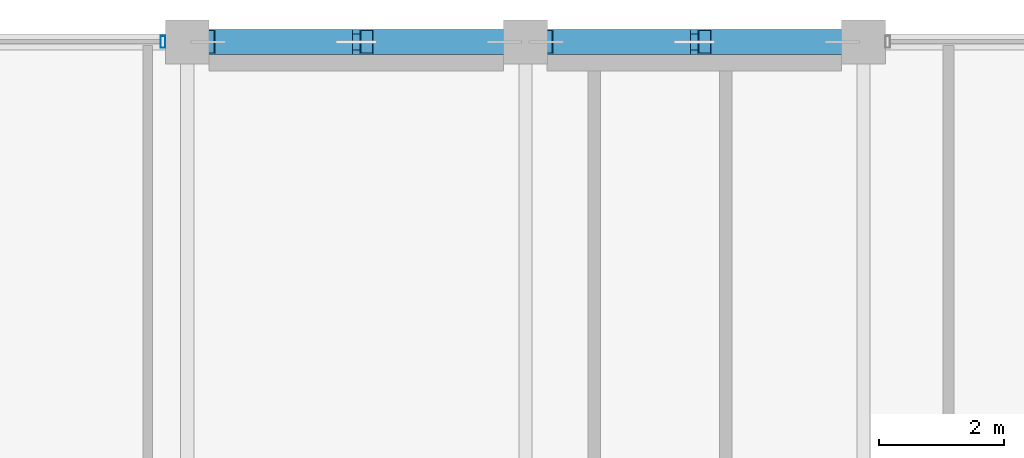
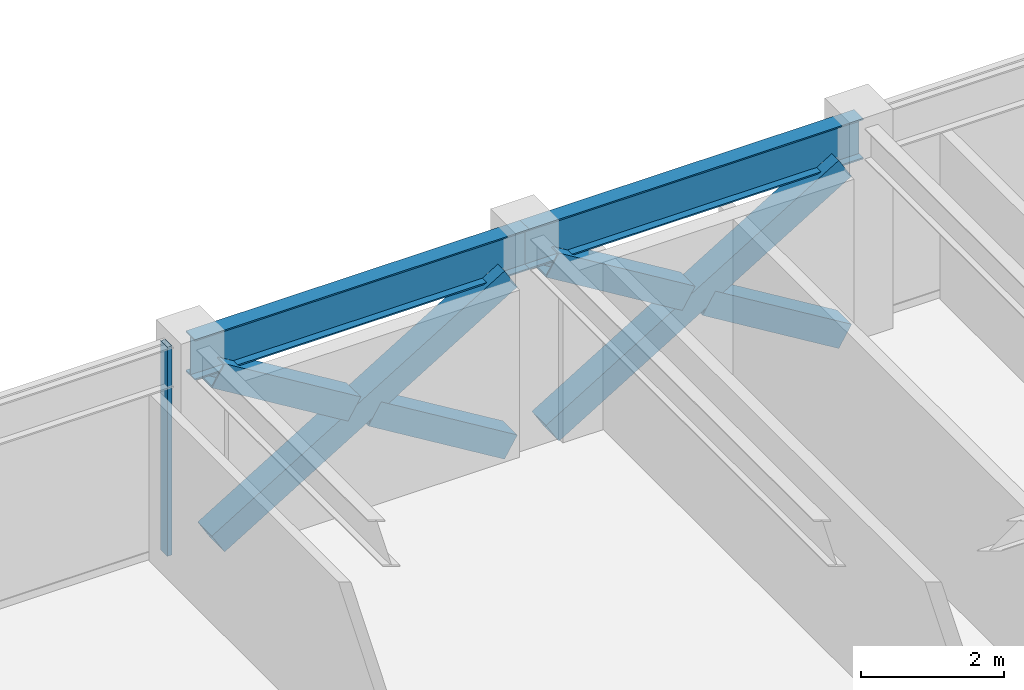
# One storey, part 19 of 30: 7 members, 2 beams, 1 element without a shape of its own.
"""IFC4 building model written with IfcOpenShell, lengths in metres."""

from ifc_helpers import new_model, si_unit, direction, frame, origin, origin_2d, place, context, subcontext, project, spatial, hollow_rectangle, i_section, extrude, material, layer, layer_set, material_profile, profile_set, type_object, element, aggregate, save


model = new_model("IFC4")

# Units and contexts
model_context = context("Model", 3, precision=1e-05, world=origin(), true_north=direction((0.0, 1.0)))
body_context = subcontext(model_context, "Body", "Model", "MODEL_VIEW")
ifc_project = project(units=[si_unit("LENGTHUNIT", "METRE"), si_unit("AREAUNIT", "SQUARE_METRE"), si_unit("VOLUMEUNIT", "CUBIC_METRE"), si_unit("PLANEANGLEUNIT", "RADIAN"), si_unit("MASSUNIT", "GRAM", prefix="KILO")], contexts=[model_context])

# Site, building, storey
site_placement = place(None, origin())
site = spatial("IfcSite", under=ifc_project, at=site_placement, CompositionType="ELEMENT")
building_placement = place(site_placement, origin())
building = spatial("IfcBuilding", under=site, at=building_placement, Name="Surkhivell Harbour Commons", CompositionType="ELEMENT")
storey_placement = place(building_placement, frame((0.0, 0.0, 296.25)))
storey = spatial("IfcBuildingStorey", under=building, at=storey_placement, Name="L77", CompositionType="ELEMENT", Elevation=296.25)

# Beams
ifc_material_1 = material(Name="Steel S355", Category="steel")
ifc_material_profile_1 = material_profile(ifc_material_1, i_section(OverallWidth=0.256103515625, OverallDepth=0.693115234375, WebThickness=0.014404296875, FlangeThickness=0.023681640625, at=origin_2d()), Name="UB686x254x170")
ifc_profile_set_1 = profile_set([ifc_material_profile_1], Name="Steel S355")
beam_type = type_object("IfcBeamType", Name="BM-SPN-686", PredefinedType="SPANDREL", material=ifc_profile_set_1)
for number, where, z_axis, x_axis, name in (
    (1, (-5.39990234375, 25.89990234375, 3.223388671875), (1.0, 0.0, 0.0), (0.0, 1.0, 0.0), "L77 Tube Spandrel (-5.4,25.9)"),
    (2, (0.0, 25.89990234375, 3.223388671875), (1.0, 0.0, 0.0), (0.0, 1.0, 0.0), "L77 Tube Spandrel (-0.0,25.9)"),
):
    element("IfcBeam", number, at=place(storey_placement, frame(where, z_axis=z_axis, x_axis=x_axis)), inside=storey, type_object=beam_type, Name=name, PredefinedType="SPANDREL", context=body_context, shape_type="SweptSolid", body=[
        extrude(i_section(OverallWidth=0.256103515625, OverallDepth=0.693115234375, WebThickness=0.014404296875, FlangeThickness=0.023681640625, at=origin_2d()), origin(), (0.0, 0.0, 1.0), 5.39990234375),
    ])

# Curtain wall, member
ifc_material_2 = material(Name="Anodised pale-metal aluminium and insulated glazing", Category="aluminium")
ifc_layer = layer(ifc_material_2, 0.175048828125)
ifc_layer_set = layer_set([ifc_layer], Name="Anodised pale-metal aluminium and insulated glazing")
curtain_wall_type = type_object("IfcCurtainWallType", Name="CW-SYS-Z4", PredefinedType="NOTDEFINED", material=ifc_layer_set)
curtain_wall_placement = place(storey_placement, origin())
curtain_wall = element("IfcCurtainWall", 3, at=curtain_wall_placement, inside=storey, type_object=curtain_wall_type, Name="L77 Curtain Wall CW-L77-E07S2", PredefinedType="NOTDEFINED")
ifc_material_3 = material(Name="Anodised pale-metal aluminium alloy 6063-T6", Category="aluminium")
ifc_material_profile_2 = material_profile(ifc_material_3, hollow_rectangle(XDim=0.074951171875, YDim=0.18994140625, WallThickness=0.00390625, at=origin_2d()), Name="ALU-MULL-75x190")
ifc_profile_set_2 = profile_set([ifc_material_profile_2], Name="Anodised pale-metal aluminium alloy 6063-T6")
member_type_1 = type_object("IfcMemberType", Name="CWM-190", PredefinedType="MULLION", material=ifc_profile_set_2)
member_1_placement = place(storey_placement, frame((-5.78955078125, 25.89990234375, 0.0), z_axis=(0.0, 0.0, 1.0), x_axis=(-1.0, 0.0, 0.0)))
member_1 = element("IfcMember", 4, at=member_1_placement, type_object=member_type_1, Name="CW-Z4 mullion 1", PredefinedType="MULLION", context=body_context, shape_type="SweptSolid", body=[
    extrude(hollow_rectangle(XDim=0.074951171875, YDim=0.18994140625, WallThickness=0.00390625, at=origin_2d()), origin(), (0.0, 0.0, 1.0), 3.570068359375),
])
aggregate(curtain_wall, [member_1])

# Members
ifc_material_4 = material(Name="Steel S460", Category="steel")
ifc_material_profile_3 = material_profile(ifc_material_4, hollow_rectangle(XDim=0.39990234375, YDim=0.39990234375, WallThickness=0.02001953125, at=origin_2d()), Name="SHS400x400x20")
ifc_profile_set_3 = profile_set([ifc_material_profile_3], Name="Steel S460")
member_type_2 = type_object("IfcMemberType", Name="MEM-BRC-SHS400", PredefinedType="BRACE", material=ifc_profile_set_3)
member_2_placement = place(storey_placement, frame((-5.06494140625, 25.89990234375, 0.008056640625), z_axis=(0.854685454322, 0.0, 0.519146197299), x_axis=(0.0, 1.0, 0.0)))
element("IfcMember", 5, at=member_2_placement, inside=storey, type_object=member_type_2, Name="L77 Perimeter Mega-Brace MB- 01", PredefinedType="BRACE", context=body_context, shape_type="SweptSolid", body=[
    extrude(hollow_rectangle(XDim=0.39990234375, YDim=0.39990234375, WallThickness=0.02001953125, at=origin_2d()), origin(), (0.0, 0.0, 1.0), 5.5341796875),
])
member_3_placement = place(storey_placement, frame((-0.3349609375, 25.89990234375, 0.008056640625), z_axis=(-0.854719912157, 0.0, 0.519089464122), x_axis=(0.0, -1.0, 0.0)))
element("IfcMember", 6, at=member_3_placement, inside=storey, type_object=member_type_2, Name="L77 Perimeter Mega-Brace MB- 02", PredefinedType="BRACE", context=body_context, shape_type="SweptSolid", body=[
    extrude(hollow_rectangle(XDim=0.39990234375, YDim=0.39990234375, WallThickness=0.02001953125, at=origin_2d()), origin(), (0.0, 0.0, 1.0), 2.574951171875),
])
member_4_placement = place(storey_placement, frame((-2.864013671875, 25.89990234375, 1.544189453125), z_axis=(-0.854677846108, 0.0, 0.519158722716), x_axis=(0.0, -1.0, 0.0)))
element("IfcMember", 7, at=member_4_placement, inside=storey, type_object=member_type_2, Name="L77 Perimeter Mega-Brace MB- 03", PredefinedType="BRACE", context=body_context, shape_type="SweptSolid", body=[
    extrude(hollow_rectangle(XDim=0.39990234375, YDim=0.39990234375, WallThickness=0.02001953125, at=origin_2d()), origin(), (0.0, 0.0, 1.0), 2.5751953125),
])
member_5_placement = place(storey_placement, frame((0.3349609375, 25.89990234375, 0.008056640625), z_axis=(0.854685454322, 0.0, 0.519146197299), x_axis=(0.0, 1.0, 0.0)))
element("IfcMember", 8, at=member_5_placement, inside=storey, type_object=member_type_2, Name="L77 Perimeter Mega-Brace MB- 04", PredefinedType="BRACE", context=body_context, shape_type="SweptSolid", body=[
    extrude(hollow_rectangle(XDim=0.39990234375, YDim=0.39990234375, WallThickness=0.02001953125, at=origin_2d()), origin(), (0.0, 0.0, 1.0), 5.5341796875),
])
member_6_placement = place(storey_placement, frame((5.06494140625, 25.89990234375, 0.008056640625), z_axis=(-0.854719912157, 0.0, 0.519089464122), x_axis=(0.0, -1.0, 0.0)))
element("IfcMember", 9, at=member_6_placement, inside=storey, type_object=member_type_2, Name="L77 Perimeter Mega-Brace MB- 05", PredefinedType="BRACE", context=body_context, shape_type="SweptSolid", body=[
    extrude(hollow_rectangle(XDim=0.39990234375, YDim=0.39990234375, WallThickness=0.02001953125, at=origin_2d()), origin(), (0.0, 0.0, 1.0), 2.574951171875),
])
member_7_placement = place(storey_placement, frame((2.535888671875, 25.89990234375, 1.544189453125), z_axis=(-0.854677846108, 0.0, 0.519158722716), x_axis=(0.0, -1.0, 0.0)))
element("IfcMember", 10, at=member_7_placement, inside=storey, type_object=member_type_2, Name="L77 Perimeter Mega-Brace MB- 06", PredefinedType="BRACE", context=body_context, shape_type="SweptSolid", body=[
    extrude(hollow_rectangle(XDim=0.39990234375, YDim=0.39990234375, WallThickness=0.02001953125, at=origin_2d()), origin(), (0.0, 0.0, 1.0), 2.5751953125),
])

save(model, "model.ifc")
